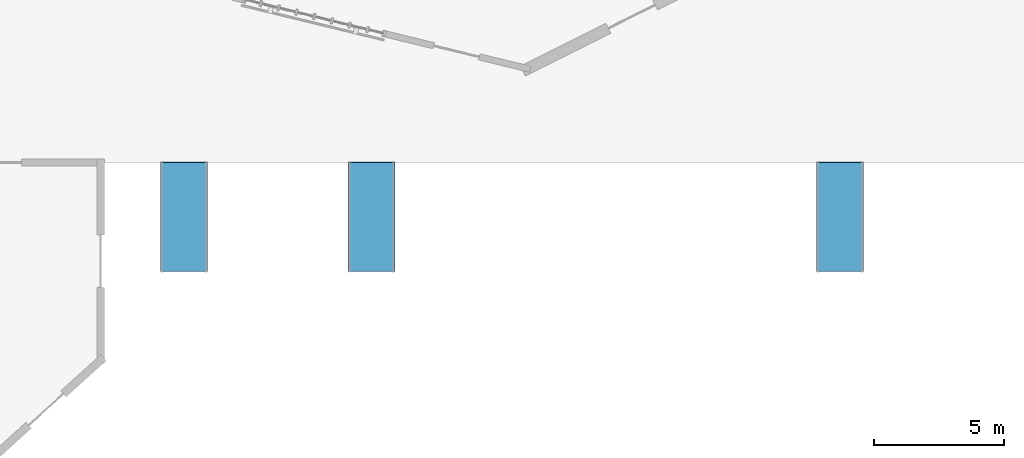
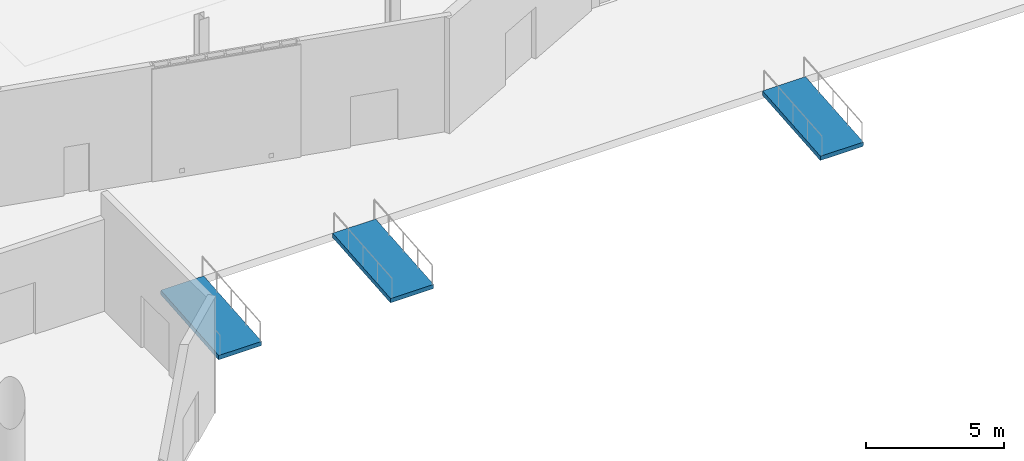
# One storey, part 94 of 111: 3 ramp flights, 3 elements without a shape of their own.
"""IFC4 building model written with IfcOpenShell, lengths in metres."""

import ifcopenshell
import ifcopenshell.guid

model = None  # the IFC model being written
_history = None  # IfcOwnerHistory: only IFC2X3 demands one
_inside = {}  # id of a spatial element -> (the spatial element, [elements in it])
_under = {}  # id of a project, library or spatial element -> (it, [spatial elements below it])
_declared = {}  # id of a project -> (the project, [libraries it declares])
_typed = {}  # id of a type object -> (the type object, [elements of that type])
_made_of = {}  # id of a material, layer set ... -> (it, [elements and type objects made of it])


def new_model(schema):
    """Start an empty IFC model of exactly this schema.

    Asked for "IFC4X3", IfcOpenShell would pick the latest addendum, in which some entities
    have other attributes; the version numbers below select the first issue.
    IFC2X3 requires an IfcOwnerHistory on every rooted entity: one is made here for all.
    """
    global model, _history
    if schema == "IFC4X3":
        model = ifcopenshell.file(schema_version=(4, 3, 0, 0))
    else:
        model = ifcopenshell.file(schema=schema)
    _inside.clear()
    _under.clear()
    _declared.clear()
    _typed.clear()
    _made_of.clear()
    _history = None
    if model.schema == "IFC2X3":
        org = make("IfcOrganization", Name="unknown")
        user = make(
            "IfcPersonAndOrganization",
            ThePerson=make("IfcPerson", FamilyName="unknown"),
            TheOrganization=org,
        )
        app = make(
            "IfcApplication",
            ApplicationDeveloper=org,
            Version="unknown",
            ApplicationFullName="unknown",
            ApplicationIdentifier="unknown",
        )
        _history = make(
            "IfcOwnerHistory",
            OwningUser=user,
            OwningApplication=app,
            ChangeAction="ADDED",
            CreationDate=0,
        )
    return model


def make(cls, **values):
    """One entity of the class cls with the attributes given. An attribute that is None is left unset."""
    return model.create_entity(
        cls, **{name: value for name, value in values.items() if value is not None}
    )


def rooted(cls, **values):
    """An entity with a GlobalId (a new one), such as an element, a storey or a relation."""
    return make(cls, GlobalId=ifcopenshell.guid.new(), OwnerHistory=_history, **values)


def si_unit(unit_type, name, prefix=None):
    """IfcSIUnit, for example si_unit("LENGTHUNIT", "METRE", prefix="MILLI")."""
    return make("IfcSIUnit", UnitType=unit_type, Prefix=prefix, Name=name)


def assignment(units):
    """IfcUnitAssignment: the units of a project."""
    return None if units is None else make("IfcUnitAssignment", Units=units)


def point(xyz):
    """IfcCartesianPoint."""
    return None if xyz is None else make("IfcCartesianPoint", Coordinates=xyz)


def direction(xyz):
    """IfcDirection."""
    return None if xyz is None else make("IfcDirection", DirectionRatios=xyz)


def frame(location, z_axis=None, x_axis=None):
    """IfcAxis2Placement3D, a coordinate frame: its origin and axes. An axis left out is left unset."""
    return make(
        "IfcAxis2Placement3D",
        Location=point(location),
        Axis=direction(z_axis),
        RefDirection=direction(x_axis),
    )


def origin():
    """The frame at (0, 0, 0) with its axes left unset."""
    return frame((0.0, 0.0, 0.0))


def place(relative_to, where):
    """IfcLocalPlacement: puts the frame where relative to a parent placement (None: the world)."""
    return make(
        "IfcLocalPlacement", PlacementRelTo=relative_to, RelativePlacement=where
    )


def context(
    kind, dimensions, precision=None, world=None, true_north=None, identifier=None
):
    """IfcGeometricRepresentationContext, for example the 3D "Model" context."""
    return make(
        "IfcGeometricRepresentationContext",
        ContextIdentifier=identifier,
        ContextType=kind,
        CoordinateSpaceDimension=dimensions,
        Precision=precision,
        WorldCoordinateSystem=world,
        TrueNorth=true_north,
    )


def subcontext(parent, identifier, kind, view, scale=None):
    """IfcGeometricRepresentationSubContext, for example "Body" below "Model"."""
    return make(
        "IfcGeometricRepresentationSubContext",
        ContextIdentifier=identifier,
        ContextType=kind,
        ParentContext=parent,
        TargetScale=scale,
        TargetView=view,
    )


def project(units=None, contexts=None):
    """IfcProject with its units and contexts."""
    return rooted(
        "IfcProject",
        Name="project",
        RepresentationContexts=contexts,
        UnitsInContext=assignment(units),
    )


def spatial(cls, under=None, at=None, **own):
    """A site, building, storey or space (cls), placed at a placement, below another one or the project."""
    s = rooted(cls, ObjectPlacement=at, **own)
    if under is not None:
        _under.setdefault(under.id(), (under, []))[1].append(s)
    return s


def polyline(points):
    """IfcPolyline through the points."""
    return make("IfcPolyline", Points=[point(p) for p in points])


def outline(outer, holes=None, kind="AREA"):
    """IfcArbitraryClosedProfileDef: a profile drawn as a closed curve; with holes, ...WithVoids."""
    if holes is None:
        return make("IfcArbitraryClosedProfileDef", ProfileType=kind, OuterCurve=outer)
    return make(
        "IfcArbitraryProfileDefWithVoids",
        ProfileType=kind,
        OuterCurve=outer,
        InnerCurves=holes,
    )


def extrude(swept, where, along, depth):
    """IfcExtrudedAreaSolid: the profile swept, set in the frame where, extruded along a direction by depth."""
    return make(
        "IfcExtrudedAreaSolid",
        SweptArea=swept,
        Position=where,
        ExtrudedDirection=direction(along),
        Depth=depth,
    )


def shape(context_of_items, identifier, shape_type, items):
    """IfcShapeRepresentation: the items that make up one representation, for example the "Body"."""
    return make(
        "IfcShapeRepresentation",
        ContextOfItems=context_of_items,
        RepresentationIdentifier=identifier,
        RepresentationType=shape_type,
        Items=items,
    )


def material(Name=None, Category=None):
    """IfcMaterial."""
    return make("IfcMaterial", Name=Name, Category=Category)


def layer(
    of_material, thickness, ventilated=None, Name=None, Category=None, Priority=None
):
    """IfcMaterialLayer: one layer of a wall or slab, of a material (None: an air gap)."""
    return make(
        "IfcMaterialLayer",
        Material=of_material,
        LayerThickness=thickness,
        IsVentilated=ventilated,
        Name=Name,
        Category=Category,
        Priority=Priority,
    )


def layer_set(layers, Name=None):
    """IfcMaterialLayerSet."""
    return make("IfcMaterialLayerSet", MaterialLayers=layers, LayerSetName=Name)


def made_of(thing, what):
    """Note that an element or type object is made of a material, layer set ...; save() writes the relation."""
    if what is not None:
        _made_of.setdefault(what.id(), (what, []))[1].append(thing)
    return thing


def type_object(cls, material=None, **own):
    """A type object (cls), such as IfcWallType, which elements share."""
    return made_of(rooted(cls, **own), material)


def element(
    cls,
    number,
    at=None,
    inside=None,
    cuts=None,
    type_object=None,
    material=None,
    context=None,
    identifier="Body",
    shape_type=None,
    held_by="IfcProductDefinitionShape",
    body=None,
    shapes=None,
    **own,
):
    """One element of the class cls, such as IfcWall. Its Tag is "e" and its number.

    at: its placement. inside: the storey or other place that contains it. cuts: it is an
    opening in that element (IfcRelVoidsElement). A single representation is given by context,
    identifier, shape_type and body (its items); several are given by shapes. held_by: the class
    of the entity that holds the representations. save() writes the other relations.
    """
    e = rooted(cls, Tag="e%d" % number, ObjectPlacement=at, **own)
    if body is not None:
        shapes = [shape(context, identifier, shape_type, body)]
    if shapes is not None:
        e.Representation = make(held_by, Representations=shapes)
    if inside is not None:
        _inside.setdefault(inside.id(), (inside, []))[1].append(e)
    if cuts is not None:
        rooted(
            "IfcRelVoidsElement", RelatingBuildingElement=cuts, RelatedOpeningElement=e
        )
    if type_object is not None:
        _typed.setdefault(type_object.id(), (type_object, []))[1].append(e)
    return made_of(e, material)


def aggregate(whole, parts):
    """IfcRelAggregates: a whole, such as a stair, and the parts it consists of."""
    return rooted("IfcRelAggregates", RelatingObject=whole, RelatedObjects=parts)


def save(model, path):
    """Write the relations noted so far, then the file.

    IfcRelAggregates (storeys below a building ...), IfcRelContainedInSpatialStructure (elements
    in a storey), IfcRelDefinesByType, IfcRelAssociatesMaterial and IfcRelDeclares: one each for
    every whole, place, type object, material and project.
    """
    for whole, parts in _under.values():
        aggregate(whole, parts)
    for where, things in _inside.values():
        rooted(
            "IfcRelContainedInSpatialStructure",
            RelatedElements=things,
            RelatingStructure=where,
        )
    for kind, things in _typed.values():
        rooted("IfcRelDefinesByType", RelatedObjects=things, RelatingType=kind)
    for what, things in _made_of.values():
        rooted("IfcRelAssociatesMaterial", RelatedObjects=things, RelatingMaterial=what)
    for by, libraries in _declared.values():
        rooted("IfcRelDeclares", RelatingContext=by, RelatedDefinitions=libraries)
    model.write(path)


model = new_model("IFC4")

# Units and contexts
model_context = context("Model", 3, precision=1e-05, world=origin(), true_north=direction((0.0, 1.0)))
body_context = subcontext(model_context, "Body", "Model", "MODEL_VIEW")
ifc_project = project(units=[si_unit("LENGTHUNIT", "METRE"), si_unit("AREAUNIT", "SQUARE_METRE"), si_unit("VOLUMEUNIT", "CUBIC_METRE"), si_unit("PLANEANGLEUNIT", "RADIAN"), si_unit("MASSUNIT", "GRAM", prefix="KILO")], contexts=[model_context])

# Site, building, storey
site_placement = place(None, origin())
site = spatial("IfcSite", under=ifc_project, at=site_placement, CompositionType="ELEMENT")
building_placement = place(site_placement, origin())
building = spatial("IfcBuilding", under=site, at=building_placement, Name="Larkvane Passage Sports Hall", CompositionType="ELEMENT")
storey_placement = place(building_placement, origin())
storey = spatial("IfcBuildingStorey", under=building, at=storey_placement, Name="L00", CompositionType="ELEMENT", Elevation=0.0)

# Ramp, ramp flight
ifc_material = material(Name="Concrete C40/50", Category="concrete")
ramp_type = type_object("IfcRampType", Name="RMP-ACC-1500", PredefinedType="STRAIGHT_RUN_RAMP", material=ifc_material)
ramp_1_placement = place(storey_placement, origin())
ramp_1 = element("IfcRamp", 1, at=ramp_1_placement, inside=storey, type_object=ramp_type, Name="Accessible approach ramp RA-04", PredefinedType="STRAIGHT_RUN_RAMP")
ifc_layer = layer(ifc_material, 0.199951171875)
ifc_layer_set = layer_set([ifc_layer], Name="Concrete C40/50")
ramp_flight_type = type_object("IfcRampFlightType", Name="RFL-ACC-1500", PredefinedType="STRAIGHT", material=ifc_layer_set)
ramp_flight_1_placement = place(storey_placement, frame((95.89990234375, 11.0, -0.35009765625), z_axis=(0.0, -0.083069450238, 0.996543760423), x_axis=(0.0, 0.996543760423, 0.083069450238)))
ramp_flight_1 = element("IfcRampFlight", 2, at=ramp_flight_1_placement, type_object=ramp_flight_type, Name="Accessible ramp flight RA-04F", PredefinedType="STRAIGHT", context=body_context, shape_type="SweptSolid", body=[
    extrude(outline(polyline([(0.0, 0.0), (4.214517554245792, 0.0), (4.214517554245792, -1.8000488281250004), (0.0, -1.8000488281250004), (0.0, 0.0)])), origin(), (0.0, 0.0, -1.0), 0.199951171875),
])
aggregate(ramp_1, [ramp_flight_1])

ramp_2_placement = place(storey_placement, origin())
ramp_2 = element("IfcRamp", 3, at=ramp_2_placement, inside=storey, type_object=ramp_type, Name="Accessible approach ramp RA-05", PredefinedType="STRAIGHT_RUN_RAMP")
ramp_flight_2_placement = place(storey_placement, frame((103.10009765625, 11.0, -0.35009765625), z_axis=(0.0, -0.083069450238, 0.996543760423), x_axis=(0.0, 0.996543760423, 0.083069450238)))
ramp_flight_2 = element("IfcRampFlight", 4, at=ramp_flight_2_placement, type_object=ramp_flight_type, Name="Accessible ramp flight RA-05F", PredefinedType="STRAIGHT", context=body_context, shape_type="SweptSolid", body=[
    extrude(outline(polyline([(0.0, 0.0), (4.214517554245792, 0.0), (4.214517554245792, -1.7998046875000004), (0.0, -1.7998046875000004), (0.0, 0.0)])), origin(), (0.0, 0.0, -1.0), 0.199951171875),
])
aggregate(ramp_2, [ramp_flight_2])

ramp_3_placement = place(storey_placement, origin())
ramp_3 = element("IfcRamp", 5, at=ramp_3_placement, inside=storey, type_object=ramp_type, Name="Accessible approach ramp RA-06", PredefinedType="STRAIGHT_RUN_RAMP")
ramp_flight_3_placement = place(storey_placement, frame((121.10009765625, 11.0, -0.35009765625), z_axis=(0.0, -0.083069450238, 0.996543760423), x_axis=(0.0, 0.996543760423, 0.083069450238)))
ramp_flight_3 = element("IfcRampFlight", 6, at=ramp_flight_3_placement, type_object=ramp_flight_type, Name="Accessible ramp flight RA-06F", PredefinedType="STRAIGHT", context=body_context, shape_type="SweptSolid", body=[
    extrude(outline(polyline([(0.0, 0.0), (4.214517554245792, 0.0), (4.214517554245792, -1.7998046875000004), (0.0, -1.7998046875000004), (0.0, 0.0)])), origin(), (0.0, 0.0, -1.0), 0.199951171875),
])
aggregate(ramp_3, [ramp_flight_3])

save(model, "model.ifc")
